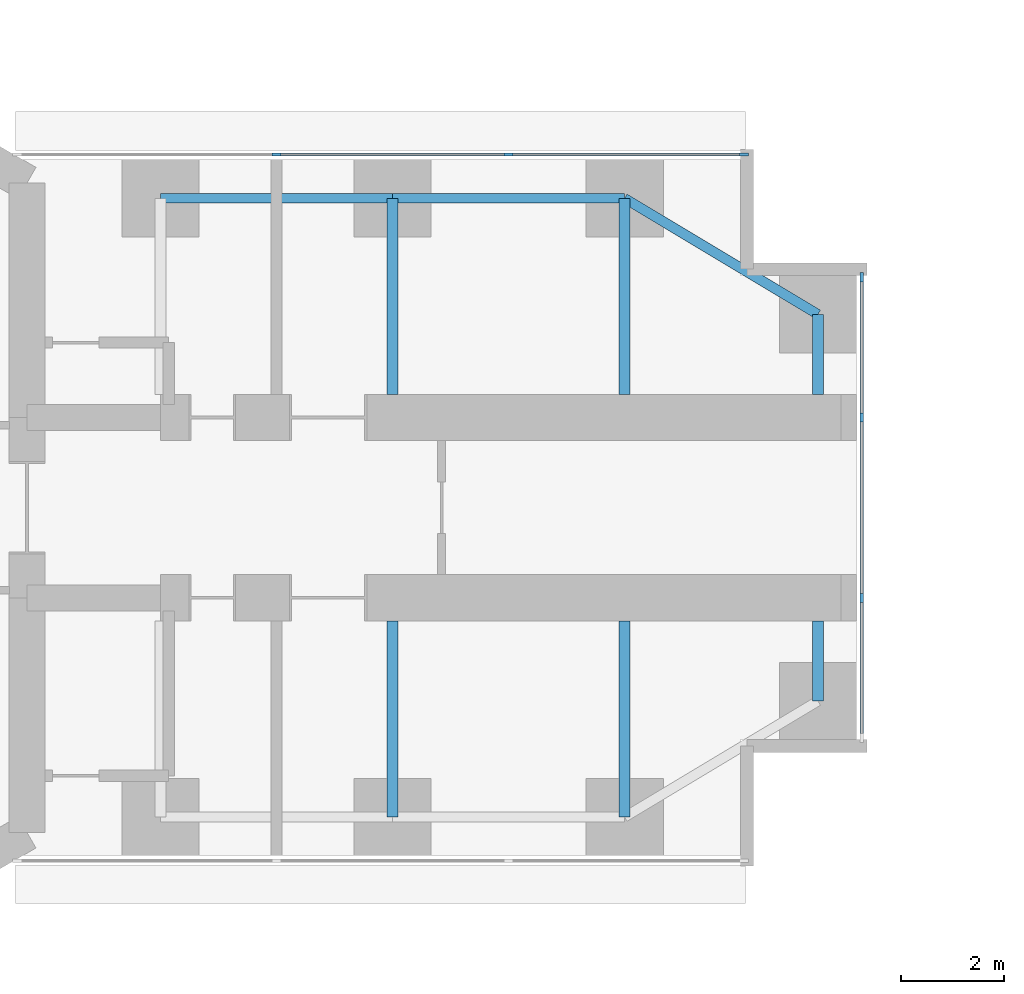
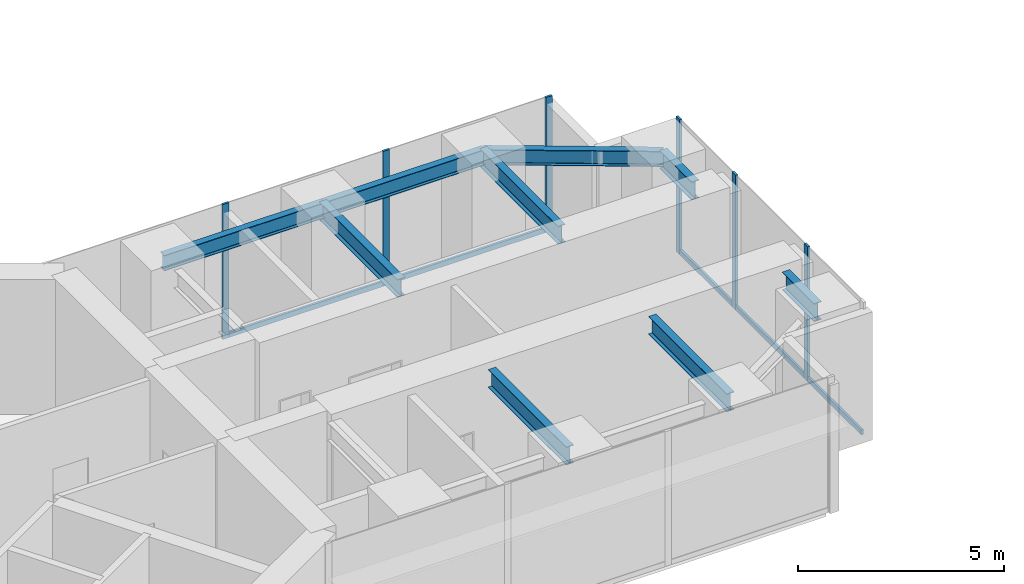
# One storey, part 8 of 23: 11 members, 9 beams, 2 elements without a shape of their own.
"""IFC4 building model written with IfcOpenShell, lengths in metres."""

from ifc_helpers import new_model, si_unit, direction, frame, origin, origin_2d, place, context, subcontext, project, spatial, rectangle, i_section, extrude, material, material_profile, profile_set, type_object, element, aggregate, save


model = new_model("IFC4")

# Units and contexts
model_context = context("Model", 3, precision=1e-05, world=origin(), true_north=direction((0.0, 1.0)))
body_context = subcontext(model_context, "Body", "Model", "MODEL_VIEW")
ifc_project = project(units=[si_unit("LENGTHUNIT", "METRE"), si_unit("AREAUNIT", "SQUARE_METRE"), si_unit("VOLUMEUNIT", "CUBIC_METRE"), si_unit("PLANEANGLEUNIT", "RADIAN"), si_unit("MASSUNIT", "GRAM", prefix="KILO")], contexts=[model_context])

# Site, building, storey
site_placement = place(None, origin())
site = spatial("IfcSite", under=ifc_project, at=site_placement, CompositionType="ELEMENT")
building_placement = place(site_placement, origin())
building = spatial("IfcBuilding", under=site, at=building_placement, Name="Upepo Twin Towers", CompositionType="ELEMENT")
storey_placement = place(building_placement, frame((0.0, 0.0, 28.5)))
storey = spatial("IfcBuildingStorey", under=building, at=storey_placement, Name="L06", CompositionType="ELEMENT", Elevation=28.5)

# Beams
ifc_material_1 = material(Name="Steel S355", Category="steel")
ifc_material_profile_1 = material_profile(ifc_material_1, i_section(OverallWidth=0.1904296875, OverallDepth=0.45703125, WebThickness=0.009033203125, FlangeThickness=0.014404296875, FilletRadius=0.01025390625, at=origin_2d()), Name="UB 457x191x74")
ifc_profile_set_1 = profile_set([ifc_material_profile_1], Name="Steel S355")
beam_type_1 = type_object("IfcBeamType", Name="Beam UB 457x191x74", PredefinedType="BEAM", material=ifc_profile_set_1)
for number, where, z_axis, x_axis, name in (
    (1, (13.5, 6.0, 3.571533203125), (1.0, 0.0, 0.0), (0.0, 1.0, 0.0), "T1 edge beam AL 13.5-18.0"),
    (2, (18.0, 6.0, 3.571533203125), (1.0, 0.0, 0.0), (0.0, 1.0, 0.0), "T1 edge beam AL 18.0-22.5"),
):
    element("IfcBeam", number, at=place(storey_placement, frame(where, z_axis=z_axis, x_axis=x_axis)), inside=storey, type_object=beam_type_1, Name=name, PredefinedType="BEAM", context=body_context, shape_type="SweptSolid", body=[
        extrude(i_section(OverallWidth=0.1904296875, OverallDepth=0.45703125, WebThickness=0.009033203125, FlangeThickness=0.014404296875, FilletRadius=0.01025390625, at=origin_2d()), origin(), (0.0, 0.0, 1.0), 4.5),
    ])
beam_placement = place(storey_placement, frame((22.5, 6.0, 3.571533203125), z_axis=(0.857492925713, -0.514495755428, 0.0), x_axis=(0.514495755428, 0.857492925713, 0.0)))
element("IfcBeam", 3, at=beam_placement, inside=storey, type_object=beam_type_1, Name="T1 nose edge beam AL", PredefinedType="BEAM", context=body_context, shape_type="SweptSolid", body=[
    extrude(i_section(OverallWidth=0.1904296875, OverallDepth=0.45703125, WebThickness=0.009033203125, FlangeThickness=0.014404296875, FilletRadius=0.01025390625, at=origin_2d()), origin(), (0.0, 0.0, 1.0), 4.373291015625),
])
ifc_material_2 = material(Name="Steel S355", Category="steel")
ifc_material_profile_2 = material_profile(ifc_material_2, i_section(OverallWidth=0.2099609375, OverallDepth=0.53662109375, WebThickness=0.0107421875, FlangeThickness=0.017333984375, FilletRadius=0.0126953125, at=origin_2d()), Name="UB 533x210x101")
ifc_profile_set_2 = profile_set([ifc_material_profile_2], Name="Steel S355")
beam_type_2 = type_object("IfcBeamType", Name="Beam UB 533x210x101", PredefinedType="BEAM", material=ifc_profile_set_2)
for number, where, z_axis, x_axis, name in (
    (4, (26.25, 3.75, 3.53173828125), (0.0, -1.0, 0.0), (1.0, 0.0, 0.0), "T1 nose beam AL"),
    (5, (26.25, -3.75, 3.53173828125), (0.0, 1.0, 0.0), (-1.0, 0.0, 0.0), "T1 nose beam AR"),
):
    element("IfcBeam", number, at=place(storey_placement, frame(where, z_axis=z_axis, x_axis=x_axis)), inside=storey, type_object=beam_type_2, Name=name, PredefinedType="BEAM", context=body_context, shape_type="SweptSolid", body=[
        extrude(i_section(OverallWidth=0.2099609375, OverallDepth=0.53662109375, WebThickness=0.0107421875, FlangeThickness=0.017333984375, FilletRadius=0.0126953125, at=origin_2d()), origin(), (0.0, 0.0, 1.0), 1.550048828125),
    ])
ifc_material_3 = material(Name="Steel S355", Category="steel")
ifc_material_profile_3 = material_profile(ifc_material_3, i_section(OverallWidth=0.209228515625, OverallDepth=0.533203125, WebThickness=0.010009765625, FlangeThickness=0.015625, FilletRadius=0.0126953125, at=origin_2d()), Name="UB 533x210x92")
ifc_profile_set_3 = profile_set([ifc_material_profile_3], Name="Steel S355")
beam_type_3 = type_object("IfcBeamType", Name="Beam UB 533x210x92", PredefinedType="BEAM", material=ifc_profile_set_3)
for number, where, z_axis, x_axis, name in (
    (6, (18.0, 6.0, 3.533447265625), (0.0, -1.0, 0.0), (1.0, 0.0, 0.0), "T1 girder AL at 18.0"),
    (7, (22.5, 6.0, 3.533447265625), (0.0, -1.0, 0.0), (1.0, 0.0, 0.0), "T1 girder AL at 22.5"),
    (8, (18.0, -6.0, 3.533447265625), (0.0, 1.0, 0.0), (-1.0, 0.0, 0.0), "T1 girder AR at 18.0"),
    (9, (22.5, -6.0, 3.533447265625), (0.0, 1.0, 0.0), (-1.0, 0.0, 0.0), "T1 girder AR at 22.5"),
):
    element("IfcBeam", number, at=place(storey_placement, frame(where, z_axis=z_axis, x_axis=x_axis)), inside=storey, type_object=beam_type_3, Name=name, PredefinedType="BEAM", context=body_context, shape_type="SweptSolid", body=[
        extrude(i_section(OverallWidth=0.209228515625, OverallDepth=0.533203125, WebThickness=0.010009765625, FlangeThickness=0.015625, FilletRadius=0.0126953125, at=origin_2d()), origin(), (0.0, 0.0, 1.0), 3.800048828125),
    ])

# Curtain wall, members
ifc_material_4 = material(Name="Aluminium and fritted glass", Category="aluminium")
curtain_wall_type = type_object("IfcCurtainWallType", Name="Tower curtain wall TW1, fritted glass", PredefinedType="NOTDEFINED", material=ifc_material_4)
curtain_wall_1_placement = place(storey_placement, origin())
curtain_wall_1 = element("IfcCurtainWall", 10, at=curtain_wall_1_placement, inside=storey, type_object=curtain_wall_type, Name="T1 L06 wing A flank L curtain wall", PredefinedType="NOTDEFINED")
ifc_material_5 = material(Name="Aluminium mullion", Category="aluminium")
ifc_material_profile_4 = material_profile(ifc_material_5, rectangle(XDim=0.06494140625, YDim=0.179931640625, at=origin_2d()), Name="MULLION 65x180")
ifc_profile_set_4 = profile_set([ifc_material_profile_4], Name="Aluminium mullion")
member_type_1 = type_object("IfcMemberType", Name="Mullion 65x180 TW1", PredefinedType="MULLION", material=ifc_profile_set_4)
member_1_placement = place(storey_placement, frame((15.75, 6.85009765625, 0.0), z_axis=(0.0, 0.0, 1.0), x_axis=(0.0, 1.0, 0.0)))
member_1 = element("IfcMember", 11, at=member_1_placement, type_object=member_type_1, Name="T1 L06 wing A flank L curtain wall mullion 2", PredefinedType="MULLION", context=body_context, shape_type="SweptSolid", body=[
    extrude(rectangle(XDim=0.06494140625, YDim=0.179931640625, at=origin_2d()), origin(), (0.0, 0.0, 1.0), 4.0),
])
member_2_placement = place(storey_placement, frame((20.25, 6.85009765625, 0.0), z_axis=(0.0, 0.0, 1.0), x_axis=(0.0, 1.0, 0.0)))
member_2 = element("IfcMember", 12, at=member_2_placement, type_object=member_type_1, Name="T1 L06 wing A flank L curtain wall mullion 3", PredefinedType="MULLION", context=body_context, shape_type="SweptSolid", body=[
    extrude(rectangle(XDim=0.06494140625, YDim=0.179931640625, at=origin_2d()), origin(), (0.0, 0.0, 1.0), 4.0),
])
member_3_placement = place(storey_placement, frame((24.8173828125, 6.85009765625, 0.0), z_axis=(0.0, 0.0, 1.0), x_axis=(0.0, 1.0, 0.0)))
member_3 = element("IfcMember", 13, at=member_3_placement, type_object=member_type_1, Name="T1 L06 wing A flank L curtain wall mullion 4", PredefinedType="MULLION", context=body_context, shape_type="SweptSolid", body=[
    extrude(rectangle(XDim=0.06494140625, YDim=0.179931640625, at=origin_2d()), origin(), (0.0, 0.0, 1.0), 4.0),
])

curtain_wall_2_placement = place(storey_placement, origin())
curtain_wall_2 = element("IfcCurtainWall", 14, at=curtain_wall_2_placement, inside=storey, type_object=curtain_wall_type, Name="T1 L06 wing A nose curtain wall", PredefinedType="NOTDEFINED")
member_4_placement = place(storey_placement, frame((27.10009765625, -1.75, 0.0), z_axis=(0.0, 0.0, 1.0), x_axis=(-1.0, 0.0, 0.0)))
member_4 = element("IfcMember", 15, at=member_4_placement, type_object=member_type_1, Name="T1 L06 wing A nose curtain wall mullion 2", PredefinedType="MULLION", context=body_context, shape_type="SweptSolid", body=[
    extrude(rectangle(XDim=0.06494140625, YDim=0.179931640625, at=origin_2d()), origin(), (0.0, 0.0, 1.0), 4.0),
])
member_5_placement = place(storey_placement, frame((27.10009765625, 1.75, 0.0), z_axis=(0.0, 0.0, 1.0), x_axis=(-1.0, 0.0, 0.0)))
member_5 = element("IfcMember", 16, at=member_5_placement, type_object=member_type_1, Name="T1 L06 wing A nose curtain wall mullion 3", PredefinedType="MULLION", context=body_context, shape_type="SweptSolid", body=[
    extrude(rectangle(XDim=0.06494140625, YDim=0.179931640625, at=origin_2d()), origin(), (0.0, 0.0, 1.0), 4.0),
])
member_6_placement = place(storey_placement, frame((27.10009765625, 4.467529296875, 0.0), z_axis=(0.0, 0.0, 1.0), x_axis=(-1.0, 0.0, 0.0)))
member_6 = element("IfcMember", 17, at=member_6_placement, type_object=member_type_1, Name="T1 L06 wing A nose curtain wall mullion 4", PredefinedType="MULLION", context=body_context, shape_type="SweptSolid", body=[
    extrude(rectangle(XDim=0.06494140625, YDim=0.179931640625, at=origin_2d()), origin(), (0.0, 0.0, 1.0), 4.0),
])

# Member
ifc_material_6 = material(Name="Aluminium transom", Category="aluminium")
ifc_material_profile_5 = material_profile(ifc_material_6, rectangle(XDim=0.06494140625, YDim=0.14990234375, at=origin_2d()), Name="TRANSOM 65x150")
ifc_profile_set_5 = profile_set([ifc_material_profile_5], Name="Aluminium transom")
member_type_2 = type_object("IfcMemberType", Name="Transom 65x150 TW1", PredefinedType="USERDEFINED", material=ifc_profile_set_5)
member_7_placement = place(storey_placement, frame((15.782470703125, 6.85009765625, 0.074951171875), z_axis=(1.0, 0.0, 0.0), x_axis=(0.0, 1.0, 0.0)))
member_7 = element("IfcMember", 18, at=member_7_placement, type_object=member_type_2, Name="T1 L06 wing A flank L curtain wall transom 2", ObjectType="TRANSOM", PredefinedType="USERDEFINED", context=body_context, shape_type="SweptSolid", body=[
    extrude(rectangle(XDim=0.06494140625, YDim=0.14990234375, at=origin_2d()), origin(), (0.0, 0.0, 1.0), 4.43505859375),
])

member_8_placement = place(storey_placement, frame((20.282470703125, 6.85009765625, 0.074951171875), z_axis=(1.0, 0.0, 0.0), x_axis=(0.0, 1.0, 0.0)))
member_8 = element("IfcMember", 19, at=member_8_placement, type_object=member_type_2, Name="T1 L06 wing A flank L curtain wall transom 3", ObjectType="TRANSOM", PredefinedType="USERDEFINED", context=body_context, shape_type="SweptSolid", body=[
    extrude(rectangle(XDim=0.06494140625, YDim=0.14990234375, at=origin_2d()), origin(), (0.0, 0.0, 1.0), 4.50244140625),
])

aggregate(curtain_wall_1, [member_1, member_2, member_3, member_7, member_8])

member_9_placement = place(storey_placement, frame((27.10009765625, -4.43505859375, 0.074951171875), z_axis=(0.0, 1.0, 0.0), x_axis=(-1.0, 0.0, 0.0)))
member_9 = element("IfcMember", 20, at=member_9_placement, type_object=member_type_2, Name="T1 L06 wing A nose curtain wall transom 1", ObjectType="TRANSOM", PredefinedType="USERDEFINED", context=body_context, shape_type="SweptSolid", body=[
    extrude(rectangle(XDim=0.06494140625, YDim=0.14990234375, at=origin_2d()), origin(), (0.0, 0.0, 1.0), 2.652587890625),
])

member_10_placement = place(storey_placement, frame((27.10009765625, -1.717529296875, 0.074951171875), z_axis=(0.0, 1.0, 0.0), x_axis=(-1.0, 0.0, 0.0)))
member_10 = element("IfcMember", 21, at=member_10_placement, type_object=member_type_2, Name="T1 L06 wing A nose curtain wall transom 2", ObjectType="TRANSOM", PredefinedType="USERDEFINED", context=body_context, shape_type="SweptSolid", body=[
    extrude(rectangle(XDim=0.06494140625, YDim=0.14990234375, at=origin_2d()), origin(), (0.0, 0.0, 1.0), 3.43505859375),
])

member_11_placement = place(storey_placement, frame((27.10009765625, 1.782470703125, 0.074951171875), z_axis=(0.0, 1.0, 0.0), x_axis=(-1.0, 0.0, 0.0)))
member_11 = element("IfcMember", 22, at=member_11_placement, type_object=member_type_2, Name="T1 L06 wing A nose curtain wall transom 3", ObjectType="TRANSOM", PredefinedType="USERDEFINED", context=body_context, shape_type="SweptSolid", body=[
    extrude(rectangle(XDim=0.06494140625, YDim=0.14990234375, at=origin_2d()), origin(), (0.0, 0.0, 1.0), 2.652587890625),
])

aggregate(curtain_wall_2, [member_4, member_5, member_6, member_9, member_10, member_11])

save(model, "model.ifc")
